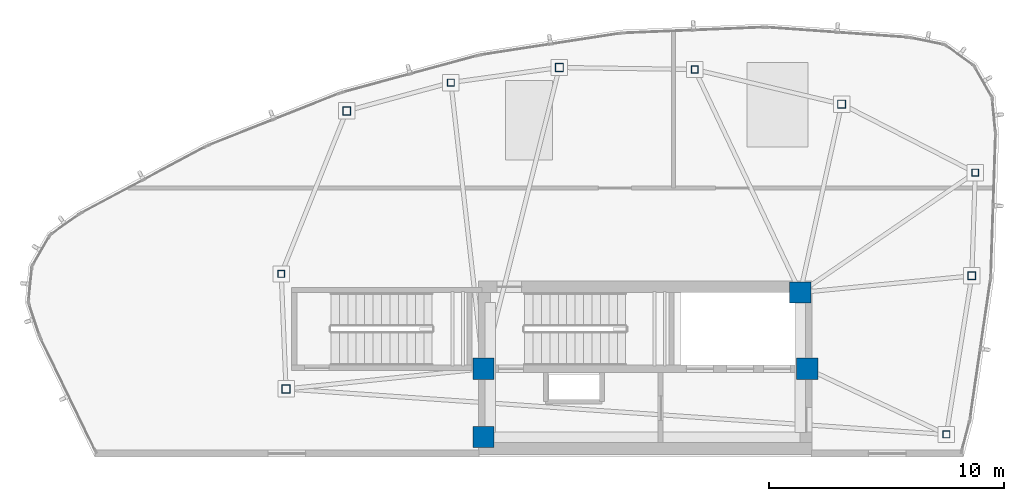
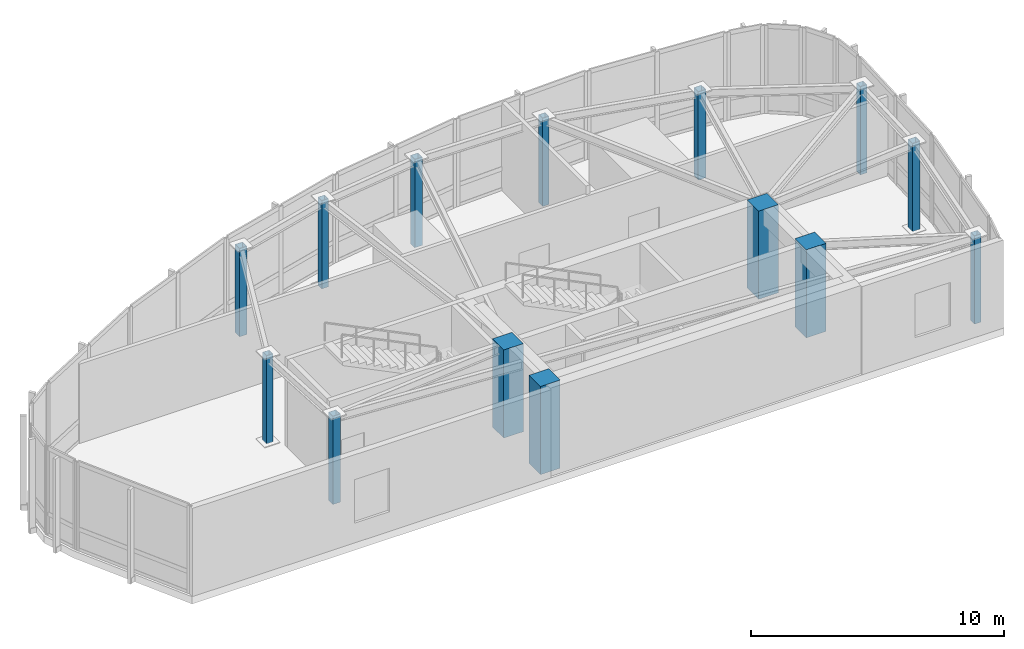
# One storey, part 1 of 10: 14 columns.
"""IFC4 building model written with IfcOpenShell, lengths in metres."""

from ifc_helpers import new_model, si_unit, direction, frame, origin, origin_2d, place, context, subcontext, project, spatial, rectangle, hollow_rectangle, extrude, material, material_profile, profile_set, type_object, element, save


model = new_model("IFC4")

# Units and contexts
model_context = context("Model", 3, precision=1e-05, world=origin(), true_north=direction((0.0, 1.0)))
body_context = subcontext(model_context, "Body", "Model", "MODEL_VIEW")
ifc_project = project(units=[si_unit("LENGTHUNIT", "METRE"), si_unit("AREAUNIT", "SQUARE_METRE"), si_unit("VOLUMEUNIT", "CUBIC_METRE"), si_unit("PLANEANGLEUNIT", "RADIAN"), si_unit("MASSUNIT", "GRAM", prefix="KILO")], contexts=[model_context])

# Site, building, storey
site_placement = place(None, origin())
site = spatial("IfcSite", under=ifc_project, at=site_placement, CompositionType="ELEMENT")
building_placement = place(site_placement, origin())
building = spatial("IfcBuilding", under=site, at=building_placement, Name="Tavelor Broadcast Tower", CompositionType="ELEMENT")
storey_placement = place(building_placement, frame((0.0, 0.0, 355.10009765625)))
storey = spatial("IfcBuildingStorey", under=building, at=storey_placement, Name="L84", CompositionType="ELEMENT", Elevation=355.10009765625)

# Columns
ifc_material_1 = material(Name="Concrete C50/60", Category="concrete")
ifc_material_profile_1 = material_profile(ifc_material_1, rectangle(XDim=0.89990234375, YDim=0.89990234375, at=origin_2d()), Name="RC 900x900")
ifc_profile_set_1 = profile_set([ifc_material_profile_1], Name="Concrete C50/60")
column_type_1 = type_object("IfcColumnType", Name="Core Embedded Composite Column RC900", PredefinedType="COLUMN", material=ifc_profile_set_1)
for number, where, z_axis, x_axis, name in (
    (1, (43.10009765625, 47.949951171875, 0.0), (0.0, 0.0, 1.0), (1.0, 0.0, 0.0), "L84 Core Embedded Column 1"),
    (2, (56.89990234375, 47.949951171875, 0.0), (0.0, 0.0, 1.0), (1.0, 0.0, 0.0), "L84 Core Embedded Column 2"),
    (3, (56.60009765625, 51.199951171875, 0.0), (0.0, 0.0, 1.0), (1.0, 0.0, 0.0), "L84 Core Embedded Column 3"),
    (4, (43.10009765625, 45.050048828125, 0.0), (0.0, 0.0, 1.0), (1.0, 0.0, 0.0), "L84 Core Embedded Column 4"),
):
    element("IfcColumn", number, at=place(storey_placement, frame(where, z_axis=z_axis, x_axis=x_axis)), inside=storey, type_object=column_type_1, Name=name, PredefinedType="COLUMN", context=body_context, shape_type="SweptSolid", body=[
        extrude(rectangle(XDim=0.89990234375, YDim=0.89990234375, at=origin_2d()), origin(), (0.0, 0.0, 1.0), 4.25),
    ])
ifc_material_2 = material(Name="Steel S355", Category="steel")
ifc_material_profile_2 = material_profile(ifc_material_2, hollow_rectangle(XDim=0.35009765625, YDim=0.35009765625, WallThickness=0.02001953125, at=origin_2d()), Name="SHS 350x350x20")
ifc_profile_set_2 = profile_set([ifc_material_profile_2], Name="Steel S355")
column_type_2 = type_object("IfcColumnType", Name="Crown Frame Column SHS350", PredefinedType="COLUMN", material=ifc_profile_set_2)
for number, where, z_axis, x_axis, name in (
    (5, (37.27294921875, 58.9375, 0.0), (0.0, 0.0, 1.0), (1.0, 0.0, 0.0), "L84 Crown Peak A Frame Column 1"),
    (6, (34.690673828125, 47.090087890625, 0.0), (0.0, 0.0, 1.0), (1.0, 0.0, 0.0), "L84 Crown Peak A Frame Column 3"),
    (7, (63.910888671875, 51.91064453125, 0.0), (0.0, 0.0, 1.0), (1.0, 0.0, 0.0), "L84 Crown Peak A Frame Column 5"),
    (8, (58.364013671875, 59.226318359375, 0.0), (0.0, 0.0, 1.0), (1.0, 0.0, 0.0), "L84 Crown Peak A Frame Column 7"),
    (9, (46.337158203125, 60.786865234375, 0.0), (0.0, 0.0, 1.0), (1.0, 0.0, 0.0), "L84 Crown Peak A Frame Column 9"),
):
    element("IfcColumn", number, at=place(storey_placement, frame(where, z_axis=z_axis, x_axis=x_axis)), inside=storey, type_object=column_type_2, Name=name, PredefinedType="COLUMN", context=body_context, shape_type="SweptSolid", body=[
        extrude(hollow_rectangle(XDim=0.35009765625, YDim=0.35009765625, WallThickness=0.02001953125, at=origin_2d()), origin(), (0.0, 0.0, 1.0), 4.25),
    ])
ifc_material_profile_3 = material_profile(ifc_material_2, hollow_rectangle(XDim=0.300048828125, YDim=0.300048828125, WallThickness=0.01611328125, at=origin_2d()), Name="SHS 300x300x16")
ifc_profile_set_3 = profile_set([ifc_material_profile_3], Name="Steel S355")
column_type_3 = type_object("IfcColumnType", Name="Crown Secondary Post SHS300", PredefinedType="COLUMN", material=ifc_profile_set_3)
for number, where, z_axis, x_axis, name in (
    (10, (34.4853515625, 51.989013671875, 0.0), (0.0, 0.0, 1.0), (1.0, 0.0, 0.0), "L84 Crown Peak A Frame Column 2"),
    (11, (62.826416015625, 45.14990234375, 0.0), (0.0, 0.0, 1.0), (1.0, 0.0, 0.0), "L84 Crown Peak A Frame Column 4"),
    (12, (64.058349609375, 56.30859375, 0.0), (0.0, 0.0, 1.0), (1.0, 0.0, 0.0), "L84 Crown Peak A Frame Column 6"),
    (13, (52.10400390625, 60.701416015625, 0.0), (0.0, 0.0, 1.0), (1.0, 0.0, 0.0), "L84 Crown Peak A Frame Column 8"),
    (14, (41.715087890625, 60.145751953125, 0.0), (0.0, 0.0, 1.0), (1.0, 0.0, 0.0), "L84 Crown Peak A Frame Column 10"),
):
    element("IfcColumn", number, at=place(storey_placement, frame(where, z_axis=z_axis, x_axis=x_axis)), inside=storey, type_object=column_type_3, Name=name, PredefinedType="COLUMN", context=body_context, shape_type="SweptSolid", body=[
        extrude(hollow_rectangle(XDim=0.300048828125, YDim=0.300048828125, WallThickness=0.01611328125, at=origin_2d()), origin(), (0.0, 0.0, 1.0), 4.25),
    ])

save(model, "model.ifc")
